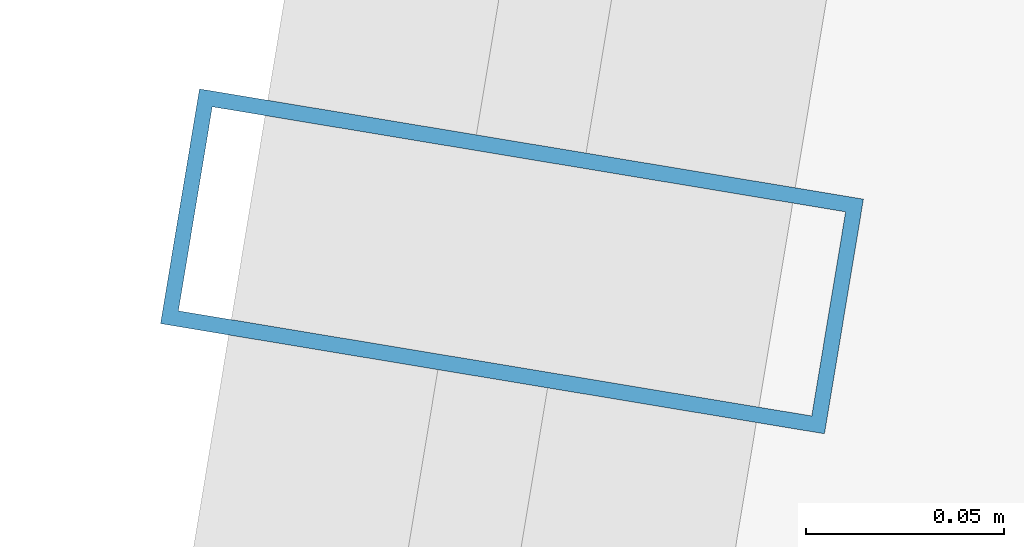
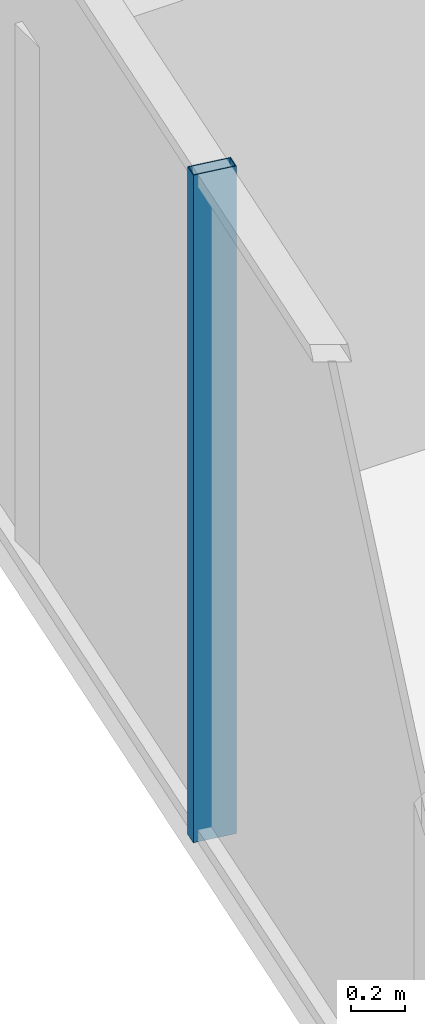
# One storey, part 12 of 30: 1 member, 1 element without a shape of its own.
"""IFC4 building model written with IfcOpenShell, lengths in metres."""

from ifc_helpers import new_model, si_unit, direction, frame, origin, origin_2d, place, context, subcontext, project, spatial, hollow_rectangle, extrude, source, transform, mapped, material, layer, layer_set, material_profile, profile_set, type_object, element, aggregate, save


model = new_model("IFC4")

# Units and contexts
model_context = context("Model", 3, precision=1e-05, world=origin(), true_north=direction((0.0, 1.0)))
body_context = subcontext(model_context, "Body", "Model", "MODEL_VIEW")
ifc_project = project(units=[si_unit("LENGTHUNIT", "METRE"), si_unit("AREAUNIT", "SQUARE_METRE"), si_unit("VOLUMEUNIT", "CUBIC_METRE"), si_unit("PLANEANGLEUNIT", "RADIAN"), si_unit("MASSUNIT", "GRAM", prefix="KILO")], contexts=[model_context])

# Site, building, storey
site_placement = place(None, origin())
site = spatial("IfcSite", under=ifc_project, at=site_placement, CompositionType="ELEMENT")
building_placement = place(site_placement, origin())
building = spatial("IfcBuilding", under=site, at=building_placement, Name="Veraguas Prism Commons", CompositionType="ELEMENT")
storey_placement = place(building_placement, frame((0.0, 0.0, 95.949951171875)))
storey = spatial("IfcBuildingStorey", under=building, at=storey_placement, Name="L26", CompositionType="ELEMENT", Elevation=95.949951171875)

# Curtain wall, member
ifc_material = material(Name="Anodised aluminium EN AW-6063 T6", Category="aluminium")
ifc_layer = layer(ifc_material, 0.169921875, Name="Unitised Flush Curtain Wall Zone 2", Category="aluminium")
ifc_layer_set = layer_set([ifc_layer], Name="Anodised aluminium EN AW-6063 T6")
curtain_wall_type = type_object("IfcCurtainWallType", Name="Unitised Flush Curtain Wall Zone 2", PredefinedType="NOTDEFINED", material=ifc_layer_set)
curtain_wall_placement = place(storey_placement, origin())
curtain_wall = element("IfcCurtainWall", 1, at=curtain_wall_placement, inside=storey, type_object=curtain_wall_type, Name="Tower Facade Curtain Wall L26-F3", PredefinedType="NOTDEFINED")
ifc_material_profile = material_profile(ifc_material, hollow_rectangle(XDim=0.06005859375, YDim=0.169921875, WallThickness=0.00390625, at=origin_2d()), Name="AL60X170X4")
ifc_profile_set = profile_set([ifc_material_profile], Name="Anodised aluminium EN AW-6063 T6")
member_type = type_object("IfcMemberType", Name="Curtain Wall Mullion Lower AL 60x170x4", PredefinedType="MULLION", material=ifc_profile_set)
shared_shape = source(origin(), body_context, "Body", "SweptSolid", [
    extrude(hollow_rectangle(XDim=0.06005859375, YDim=0.169921875, WallThickness=0.00390625, at=origin_2d()), origin(), (0.0, 0.0, 1.0), 3.0),
])
member_placement = place(storey_placement, frame((5.076171875, 27.1396484375, 0.0), z_axis=(0.0, 0.0, 1.0), x_axis=(-0.163672052728, -0.986514804327, 0.0)))
member = element("IfcMember", 2, at=member_placement, type_object=member_type, Name="CW-Z2 Mullion 3", PredefinedType="MULLION", context=body_context, shape_type="MappedRepresentation", body=[
    mapped(shared_shape, transform((0.0, 0.0, 0.0), scale=1.0)),
])
aggregate(curtain_wall, [member])

save(model, "model.ifc")
